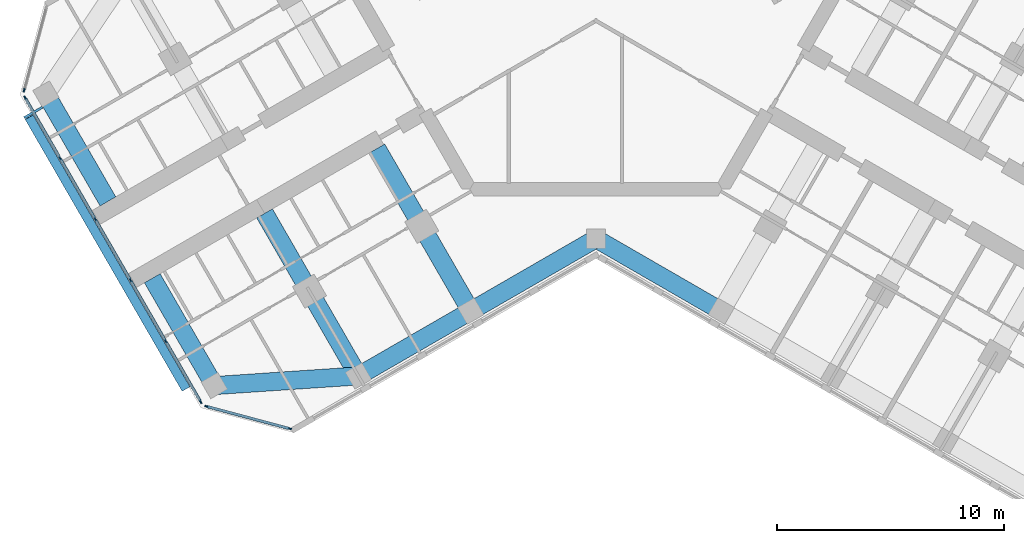
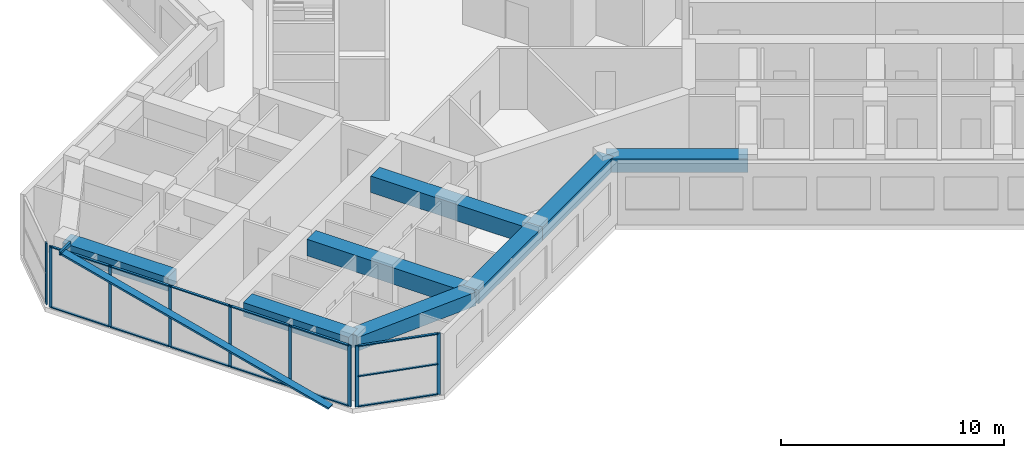
# One storey, part 2 of 16: 24 members, 8 beams, 3 elements without a shape of their own.
"""IFC4 building model written with IfcOpenShell, lengths in metres."""

import ifcopenshell
import ifcopenshell.guid

model = None  # the IFC model being written
_history = None  # IfcOwnerHistory: only IFC2X3 demands one
_inside = {}  # id of a spatial element -> (the spatial element, [elements in it])
_under = {}  # id of a project, library or spatial element -> (it, [spatial elements below it])
_declared = {}  # id of a project -> (the project, [libraries it declares])
_typed = {}  # id of a type object -> (the type object, [elements of that type])
_made_of = {}  # id of a material, layer set ... -> (it, [elements and type objects made of it])


def new_model(schema):
    """Start an empty IFC model of exactly this schema.

    Asked for "IFC4X3", IfcOpenShell would pick the latest addendum, in which some entities
    have other attributes; the version numbers below select the first issue.
    IFC2X3 requires an IfcOwnerHistory on every rooted entity: one is made here for all.
    """
    global model, _history
    if schema == "IFC4X3":
        model = ifcopenshell.file(schema_version=(4, 3, 0, 0))
    else:
        model = ifcopenshell.file(schema=schema)
    _inside.clear()
    _under.clear()
    _declared.clear()
    _typed.clear()
    _made_of.clear()
    _history = None
    if model.schema == "IFC2X3":
        org = make("IfcOrganization", Name="unknown")
        user = make(
            "IfcPersonAndOrganization",
            ThePerson=make("IfcPerson", FamilyName="unknown"),
            TheOrganization=org,
        )
        app = make(
            "IfcApplication",
            ApplicationDeveloper=org,
            Version="unknown",
            ApplicationFullName="unknown",
            ApplicationIdentifier="unknown",
        )
        _history = make(
            "IfcOwnerHistory",
            OwningUser=user,
            OwningApplication=app,
            ChangeAction="ADDED",
            CreationDate=0,
        )
    return model


def make(cls, **values):
    """One entity of the class cls with the attributes given. An attribute that is None is left unset."""
    return model.create_entity(
        cls, **{name: value for name, value in values.items() if value is not None}
    )


def rooted(cls, **values):
    """An entity with a GlobalId (a new one), such as an element, a storey or a relation."""
    return make(cls, GlobalId=ifcopenshell.guid.new(), OwnerHistory=_history, **values)


def si_unit(unit_type, name, prefix=None):
    """IfcSIUnit, for example si_unit("LENGTHUNIT", "METRE", prefix="MILLI")."""
    return make("IfcSIUnit", UnitType=unit_type, Prefix=prefix, Name=name)


def assignment(units):
    """IfcUnitAssignment: the units of a project."""
    return None if units is None else make("IfcUnitAssignment", Units=units)


def point(xyz):
    """IfcCartesianPoint."""
    return None if xyz is None else make("IfcCartesianPoint", Coordinates=xyz)


def direction(xyz):
    """IfcDirection."""
    return None if xyz is None else make("IfcDirection", DirectionRatios=xyz)


def frame(location, z_axis=None, x_axis=None):
    """IfcAxis2Placement3D, a coordinate frame: its origin and axes. An axis left out is left unset."""
    return make(
        "IfcAxis2Placement3D",
        Location=point(location),
        Axis=direction(z_axis),
        RefDirection=direction(x_axis),
    )


def frame_2d(location, x_axis=None):
    """IfcAxis2Placement2D, a coordinate frame in the plane: its origin and x axis."""
    return make(
        "IfcAxis2Placement2D", Location=point(location), RefDirection=direction(x_axis)
    )


def origin():
    """The frame at (0, 0, 0) with its axes left unset."""
    return frame((0.0, 0.0, 0.0))


def origin_2d():
    """The frame at (0, 0) in the plane with its x axis left unset."""
    return frame_2d((0.0, 0.0))


def place(relative_to, where):
    """IfcLocalPlacement: puts the frame where relative to a parent placement (None: the world)."""
    return make(
        "IfcLocalPlacement", PlacementRelTo=relative_to, RelativePlacement=where
    )


def context(
    kind, dimensions, precision=None, world=None, true_north=None, identifier=None
):
    """IfcGeometricRepresentationContext, for example the 3D "Model" context."""
    return make(
        "IfcGeometricRepresentationContext",
        ContextIdentifier=identifier,
        ContextType=kind,
        CoordinateSpaceDimension=dimensions,
        Precision=precision,
        WorldCoordinateSystem=world,
        TrueNorth=true_north,
    )


def subcontext(parent, identifier, kind, view, scale=None):
    """IfcGeometricRepresentationSubContext, for example "Body" below "Model"."""
    return make(
        "IfcGeometricRepresentationSubContext",
        ContextIdentifier=identifier,
        ContextType=kind,
        ParentContext=parent,
        TargetScale=scale,
        TargetView=view,
    )


def project(units=None, contexts=None):
    """IfcProject with its units and contexts."""
    return rooted(
        "IfcProject",
        Name="project",
        RepresentationContexts=contexts,
        UnitsInContext=assignment(units),
    )


def spatial(cls, under=None, at=None, **own):
    """A site, building, storey or space (cls), placed at a placement, below another one or the project."""
    s = rooted(cls, ObjectPlacement=at, **own)
    if under is not None:
        _under.setdefault(under.id(), (under, []))[1].append(s)
    return s


def profile(cls, at=None, kind="AREA", **sizes):
    """A parametric profile (cls). Its sizes go by their IFC names, for example OverallWidth=200.0."""
    return make(cls, ProfileType=kind, Position=at, **sizes)


def rectangle(**sizes):
    """IfcRectangleProfileDef."""
    return profile("IfcRectangleProfileDef", **sizes)


def hollow_rectangle(**sizes):
    """IfcRectangleHollowProfileDef."""
    return profile("IfcRectangleHollowProfileDef", **sizes)


def extrude(swept, where, along, depth):
    """IfcExtrudedAreaSolid: the profile swept, set in the frame where, extruded along a direction by depth."""
    return make(
        "IfcExtrudedAreaSolid",
        SweptArea=swept,
        Position=where,
        ExtrudedDirection=direction(along),
        Depth=depth,
    )


def shape(context_of_items, identifier, shape_type, items):
    """IfcShapeRepresentation: the items that make up one representation, for example the "Body"."""
    return make(
        "IfcShapeRepresentation",
        ContextOfItems=context_of_items,
        RepresentationIdentifier=identifier,
        RepresentationType=shape_type,
        Items=items,
    )


def material(Name=None, Category=None):
    """IfcMaterial."""
    return make("IfcMaterial", Name=Name, Category=Category)


def material_profile(
    of_material, cross_section, Name=None, Category=None, Priority=None
):
    """IfcMaterialProfile: a cross section and its material."""
    return make(
        "IfcMaterialProfile",
        Name=Name,
        Material=of_material,
        Profile=cross_section,
        Priority=Priority,
        Category=Category,
    )


def profile_set(profiles, Name=None, composite=None):
    """IfcMaterialProfileSet."""
    return make(
        "IfcMaterialProfileSet",
        Name=Name,
        MaterialProfiles=profiles,
        CompositeProfile=composite,
    )


def made_of(thing, what):
    """Note that an element or type object is made of a material, layer set ...; save() writes the relation."""
    if what is not None:
        _made_of.setdefault(what.id(), (what, []))[1].append(thing)
    return thing


def type_object(cls, material=None, **own):
    """A type object (cls), such as IfcWallType, which elements share."""
    return made_of(rooted(cls, **own), material)


def element(
    cls,
    number,
    at=None,
    inside=None,
    cuts=None,
    type_object=None,
    material=None,
    context=None,
    identifier="Body",
    shape_type=None,
    held_by="IfcProductDefinitionShape",
    body=None,
    shapes=None,
    **own,
):
    """One element of the class cls, such as IfcWall. Its Tag is "e" and its number.

    at: its placement. inside: the storey or other place that contains it. cuts: it is an
    opening in that element (IfcRelVoidsElement). A single representation is given by context,
    identifier, shape_type and body (its items); several are given by shapes. held_by: the class
    of the entity that holds the representations. save() writes the other relations.
    """
    e = rooted(cls, Tag="e%d" % number, ObjectPlacement=at, **own)
    if body is not None:
        shapes = [shape(context, identifier, shape_type, body)]
    if shapes is not None:
        e.Representation = make(held_by, Representations=shapes)
    if inside is not None:
        _inside.setdefault(inside.id(), (inside, []))[1].append(e)
    if cuts is not None:
        rooted(
            "IfcRelVoidsElement", RelatingBuildingElement=cuts, RelatedOpeningElement=e
        )
    if type_object is not None:
        _typed.setdefault(type_object.id(), (type_object, []))[1].append(e)
    return made_of(e, material)


def aggregate(whole, parts):
    """IfcRelAggregates: a whole, such as a stair, and the parts it consists of."""
    return rooted("IfcRelAggregates", RelatingObject=whole, RelatedObjects=parts)


def save(model, path):
    """Write the relations noted so far, then the file.

    IfcRelAggregates (storeys below a building ...), IfcRelContainedInSpatialStructure (elements
    in a storey), IfcRelDefinesByType, IfcRelAssociatesMaterial and IfcRelDeclares: one each for
    every whole, place, type object, material and project.
    """
    for whole, parts in _under.values():
        aggregate(whole, parts)
    for where, things in _inside.values():
        rooted(
            "IfcRelContainedInSpatialStructure",
            RelatedElements=things,
            RelatingStructure=where,
        )
    for kind, things in _typed.values():
        rooted("IfcRelDefinesByType", RelatedObjects=things, RelatingType=kind)
    for what, things in _made_of.values():
        rooted("IfcRelAssociatesMaterial", RelatedObjects=things, RelatingMaterial=what)
    for by, libraries in _declared.values():
        rooted("IfcRelDeclares", RelatingContext=by, RelatedDefinitions=libraries)
    model.write(path)


model = new_model("IFC4")

# Units and contexts
model_context = context("Model", 3, precision=1e-05, world=origin(), true_north=direction((0.0, 1.0)))
body_context = subcontext(model_context, "Body", "Model", "MODEL_VIEW")
ifc_project = project(units=[si_unit("LENGTHUNIT", "METRE"), si_unit("AREAUNIT", "SQUARE_METRE"), si_unit("VOLUMEUNIT", "CUBIC_METRE"), si_unit("PLANEANGLEUNIT", "RADIAN"), si_unit("MASSUNIT", "GRAM", prefix="KILO")], contexts=[model_context])

# Site, building, storey
site_placement = place(None, origin())
site = spatial("IfcSite", under=ifc_project, at=site_placement, CompositionType="ELEMENT")
building_placement = place(site_placement, origin())
building = spatial("IfcBuilding", under=site, at=building_placement, Name="Kosmar Iwan School Tower", CompositionType="ELEMENT")
storey_placement = place(building_placement, frame((0.0, 0.0, 249.60009765625)))
storey = spatial("IfcBuildingStorey", under=building, at=storey_placement, Name="L63", CompositionType="ELEMENT", Elevation=249.60009765625)

# Members
ifc_material_1 = material(Name="Black anodised aluminium", Category="aluminium")
ifc_material_profile_1 = material_profile(ifc_material_1, rectangle(XDim=0.10009765625, YDim=0.39990234375, at=origin_2d()), Name="FIN 100x400")
ifc_profile_set_1 = profile_set([ifc_material_profile_1], Name="Black anodised aluminium")
member_type_1 = type_object("IfcMemberType", Name="Diagonal fin 100x400", PredefinedType="USERDEFINED", material=ifc_profile_set_1)
member_1_placement = place(storey_placement, frame((-18.0283203125, -18.3740234375, -0.150146484375), z_axis=(-0.483800388566, 0.837965217343, 0.2524905514), x_axis=(0.126245460598, -0.218663124976, 0.96759935999)))
element("IfcMember", 1, at=member_1_placement, inside=storey, type_object=member_type_1, Name="Diagonal fin L63-F11", ObjectType="FIN", PredefinedType="USERDEFINED", context=body_context, shape_type="SweptSolid", body=[
    extrude(rectangle(XDim=0.10009765625, YDim=0.39990234375, at=origin_2d()), origin(), (0.0, 0.0, 1.0), 14.25830078125),
])
ifc_material_2 = material(Name="Steel S355", Category="steel")
ifc_material_profile_2 = material_profile(ifc_material_2, hollow_rectangle(XDim=0.10009765625, YDim=0.199951171875, WallThickness=0.008056640625, at=origin_2d()), Name="RHS 200x100x8")
ifc_profile_set_2 = profile_set([ifc_material_profile_2], Name="Steel S355")
member_type_2 = type_object("IfcMemberType", Name="Fin bracket RHS 200x100", PredefinedType="USERDEFINED", material=ifc_profile_set_2)
member_2_placement = place(storey_placement, frame((-24.337158203125, -5.9970703125, 3.474853515625), z_axis=(-0.866058118026, -0.49994333299, 0.0), x_axis=(0.49994333299, -0.866058118026, 0.0)))
element("IfcMember", 2, at=member_2_placement, inside=storey, type_object=member_type_2, Name="Fin bracket L64", ObjectType="FIN BRACKET", PredefinedType="USERDEFINED", context=body_context, shape_type="SweptSolid", body=[
    extrude(hollow_rectangle(XDim=0.10009765625, YDim=0.199951171875, WallThickness=0.008056640625, at=origin_2d()), origin(), (0.0, 0.0, 1.0), 0.9248046875),
])

# Curtain wall, member
ifc_material_3 = material(Name="Dark glass in black aluminium frame", Category="aluminium")
curtain_wall_type_1 = type_object("IfcCurtainWallType", Name="Chamfer curtain wall dark glass", PredefinedType="USERDEFINED", material=ifc_material_3)
curtain_wall_1_placement = place(storey_placement, origin())
curtain_wall_1 = element("IfcCurtainWall", 3, at=curtain_wall_1_placement, inside=storey, type_object=curtain_wall_type_1, Name="Curtain wall L63-F10", ObjectType="FACETED CURTAIN WALL", PredefinedType="USERDEFINED")
ifc_material_4 = material(Name="Black anodised aluminium", Category="aluminium")
ifc_material_profile_3 = material_profile(ifc_material_4, rectangle(XDim=0.06005859375, YDim=0.159912109375, at=origin_2d()), Name="MULLION 60x160")
ifc_profile_set_3 = profile_set([ifc_material_profile_3], Name="Black anodised aluminium")
member_type_3 = type_object("IfcMemberType", Name="Mullion 60x160", PredefinedType="MULLION", material=ifc_profile_set_3)
member_3_placement = place(storey_placement, frame((-25.141845703125, -5.24853515625, 0.0), z_axis=(0.0, 0.0, 1.0), x_axis=(0.965925875495, -0.258818861462, 0.0)))
member_3 = element("IfcMember", 4, at=member_3_placement, type_object=member_type_3, Name="CW2 mullion 2", PredefinedType="MULLION", context=body_context, shape_type="SweptSolid", body=[
    extrude(rectangle(XDim=0.06005859375, YDim=0.159912109375, at=origin_2d()), origin(), (0.0, 0.0, 1.0), 3.349853515625),
])
aggregate(curtain_wall_1, [member_3])

# Curtain wall, members
ifc_material_5 = material(Name="Dark glass in black aluminium frame", Category="aluminium")
curtain_wall_type_2 = type_object("IfcCurtainWallType", Name="Tower curtain wall dark glass", PredefinedType="USERDEFINED", material=ifc_material_5)
curtain_wall_2_placement = place(storey_placement, origin())
curtain_wall_2 = element("IfcCurtainWall", 5, at=curtain_wall_2_placement, inside=storey, type_object=curtain_wall_type_2, Name="Curtain wall L63-F11", ObjectType="UNITISED CURTAIN WALL", PredefinedType="USERDEFINED")
member_4_placement = place(storey_placement, frame((-25.098388671875, -5.578369140625, 0.0), z_axis=(0.0, 0.0, 1.0), x_axis=(0.866025405329, 0.499999997325, 0.0)))
member_4 = element("IfcMember", 6, at=member_4_placement, type_object=member_type_3, Name="CW1 mullion 1", PredefinedType="MULLION", context=body_context, shape_type="SweptSolid", body=[
    extrude(rectangle(XDim=0.06005859375, YDim=0.159912109375, at=origin_2d()), origin(), (0.0, 0.0, 1.0), 3.349853515625),
])
member_5_placement = place(storey_placement, frame((-23.563720703125, -8.236328125, 0.0), z_axis=(0.0, 0.0, 1.0), x_axis=(0.866025405329, 0.499999997325, 0.0)))
member_5 = element("IfcMember", 7, at=member_5_placement, type_object=member_type_3, Name="CW1 mullion 2", PredefinedType="MULLION", context=body_context, shape_type="SweptSolid", body=[
    extrude(rectangle(XDim=0.06005859375, YDim=0.159912109375, at=origin_2d()), origin(), (0.0, 0.0, 1.0), 3.349853515625),
])
member_6_placement = place(storey_placement, frame((-22.01416015625, -10.92041015625, 0.0), z_axis=(0.0, 0.0, 1.0), x_axis=(0.866025405329, 0.499999997325, 0.0)))
member_6 = element("IfcMember", 8, at=member_6_placement, type_object=member_type_3, Name="CW1 mullion 3", PredefinedType="MULLION", context=body_context, shape_type="SweptSolid", body=[
    extrude(rectangle(XDim=0.06005859375, YDim=0.159912109375, at=origin_2d()), origin(), (0.0, 0.0, 1.0), 3.349853515625),
])
member_7_placement = place(storey_placement, frame((-20.46435546875, -13.6044921875, 0.0), z_axis=(0.0, 0.0, 1.0), x_axis=(0.866025405329, 0.499999997325, 0.0)))
member_7 = element("IfcMember", 9, at=member_7_placement, type_object=member_type_3, Name="CW1 mullion 4", PredefinedType="MULLION", context=body_context, shape_type="SweptSolid", body=[
    extrude(rectangle(XDim=0.06005859375, YDim=0.159912109375, at=origin_2d()), origin(), (0.0, 0.0, 1.0), 3.349853515625),
])
member_8_placement = place(storey_placement, frame((-18.914794921875, -16.28857421875, 0.0), z_axis=(0.0, 0.0, 1.0), x_axis=(0.866025405329, 0.499999997325, 0.0)))
member_8 = element("IfcMember", 10, at=member_8_placement, type_object=member_type_3, Name="CW1 mullion 5", PredefinedType="MULLION", context=body_context, shape_type="SweptSolid", body=[
    extrude(rectangle(XDim=0.06005859375, YDim=0.159912109375, at=origin_2d()), origin(), (0.0, 0.0, 1.0), 3.349853515625),
])
member_9_placement = place(storey_placement, frame((-17.380126953125, -18.94677734375, 0.0), z_axis=(0.0, 0.0, 1.0), x_axis=(0.866025405329, 0.499999997325, 0.0)))
member_9 = element("IfcMember", 11, at=member_9_placement, type_object=member_type_3, Name="CW1 mullion 6", PredefinedType="MULLION", context=body_context, shape_type="SweptSolid", body=[
    extrude(rectangle(XDim=0.06005859375, YDim=0.159912109375, at=origin_2d()), origin(), (0.0, 0.0, 1.0), 3.349853515625),
])

curtain_wall_3_placement = place(storey_placement, origin())
curtain_wall_3 = element("IfcCurtainWall", 12, at=curtain_wall_3_placement, inside=storey, type_object=curtain_wall_type_1, Name="Curtain wall L63-F12", ObjectType="FACETED CURTAIN WALL", PredefinedType="USERDEFINED")
member_10_placement = place(storey_placement, frame((-17.1162109375, -19.149169921875, 0.0), z_axis=(0.0, 0.0, 1.0), x_axis=(0.258818861462, 0.965925875495, 0.0)))
member_10 = element("IfcMember", 13, at=member_10_placement, type_object=member_type_3, Name="CW2 mullion 1", PredefinedType="MULLION", context=body_context, shape_type="SweptSolid", body=[
    extrude(rectangle(XDim=0.06005859375, YDim=0.159912109375, at=origin_2d()), origin(), (0.0, 0.0, 1.0), 3.349853515625),
])
member_11_placement = place(storey_placement, frame((-13.466064453125, -20.127197265625, 0.0), z_axis=(0.0, 0.0, 1.0), x_axis=(0.258818861462, 0.965925875495, 0.0)))
member_11 = element("IfcMember", 14, at=member_11_placement, type_object=member_type_3, Name="CW2 mullion 2", PredefinedType="MULLION", context=body_context, shape_type="SweptSolid", body=[
    extrude(rectangle(XDim=0.06005859375, YDim=0.159912109375, at=origin_2d()), origin(), (0.0, 0.0, 1.0), 3.349853515625),
])

# Beams
ifc_material_6 = material(Name="Concrete C50/60", Category="concrete")
ifc_material_profile_4 = material_profile(ifc_material_6, rectangle(XDim=0.800048828125, YDim=0.75, at=origin_2d()), Name="RC 800x750")
ifc_profile_set_4 = profile_set([ifc_material_profile_4], Name="Concrete C50/60")
beam_type_1 = type_object("IfcBeamType", Name="RC edge beam 800x750", PredefinedType="BEAM", material=ifc_profile_set_4)
beam_1_placement = place(storey_placement, frame((0.0, -11.77783203125, 2.974853515625), z_axis=(-0.866014293216, -0.500019243575, 0.0), x_axis=(0.500019243575, -0.866014293216, 0.0)))
element("IfcBeam", 15, at=beam_1_placement, inside=storey, type_object=beam_type_1, Name="Edge beam BL1", PredefinedType="BEAM", context=body_context, shape_type="SweptSolid", body=[
    extrude(rectangle(XDim=0.800048828125, YDim=0.75, at=origin_2d()), origin(), (0.0, 0.0, 1.0), 6.361083984375),
])
beam_2_placement = place(storey_placement, frame((-5.5087890625, -14.95849609375, 2.974853515625), z_axis=(-0.866033658841, -0.49998570155, 0.0), x_axis=(0.49998570155, -0.866033658841, 0.0)))
element("IfcBeam", 16, at=beam_2_placement, inside=storey, type_object=beam_type_1, Name="Edge beam BL2", PredefinedType="BEAM", context=body_context, shape_type="SweptSolid", body=[
    extrude(rectangle(XDim=0.800048828125, YDim=0.75, at=origin_2d()), origin(), (0.0, 0.0, 1.0), 5.699951171875),
])
beam_3_placement = place(storey_placement, frame((0.0, -11.77783203125, 2.974853515625), z_axis=(0.866014293216, -0.500019243575, 0.0), x_axis=(0.500019243575, 0.866014293216, 0.0)))
element("IfcBeam", 17, at=beam_3_placement, inside=storey, type_object=beam_type_1, Name="Edge beam CR1", PredefinedType="BEAM", context=body_context, shape_type="SweptSolid", body=[
    extrude(rectangle(XDim=0.800048828125, YDim=0.75, at=origin_2d()), origin(), (0.0, 0.0, 1.0), 6.361083984375),
])
ifc_material_7 = material(Name="Concrete C50/60", Category="concrete")
ifc_material_profile_5 = material_profile(ifc_material_7, rectangle(XDim=0.800048828125, YDim=0.75, at=origin_2d()), Name="RC 800x750")
ifc_profile_set_5 = profile_set([ifc_material_profile_5], Name="Concrete C50/60")
beam_type_2 = type_object("IfcBeamType", Name="RC tip beam 800x750", PredefinedType="BEAM", material=ifc_profile_set_5)
beam_4_placement = place(storey_placement, frame((-10.445068359375, -17.808349609375, 2.974853515625), z_axis=(-0.997755118724, -0.066968074933, 0.0), x_axis=(0.066968074933, -0.997755118724, 0.0)))
element("IfcBeam", 18, at=beam_4_placement, inside=storey, type_object=beam_type_2, Name="Tip beam BL", PredefinedType="BEAM", context=body_context, shape_type="SweptSolid", body=[
    extrude(rectangle(XDim=0.800048828125, YDim=0.75, at=origin_2d()), origin(), (0.0, 0.0, 1.0), 6.3505859375),
])
beam_5_placement = place(storey_placement, frame((-16.781494140625, -18.233642578125, 2.974853515625), z_axis=(-0.500002931134, 0.866023711487, 0.0), x_axis=(-0.866023711487, -0.500002931134, 0.0)))
element("IfcBeam", 19, at=beam_5_placement, inside=storey, type_object=beam_type_2, Name="Tip beam BL to corridor wall", PredefinedType="BEAM", context=body_context, shape_type="SweptSolid", body=[
    extrude(rectangle(XDim=0.800048828125, YDim=0.75, at=origin_2d()), origin(), (0.0, 0.0, 1.0), 5.4501953125),
])
beam_6_placement = place(storey_placement, frame((-24.181396484375, -5.41650390625, 2.974853515625), z_axis=(0.499988730927, -0.866031909889, 0.0), x_axis=(0.866031909889, 0.499988730927, 0.0)))
element("IfcBeam", 20, at=beam_6_placement, inside=storey, type_object=beam_type_2, Name="Tip beam BR to corridor wall", PredefinedType="BEAM", context=body_context, shape_type="SweptSolid", body=[
    extrude(rectangle(XDim=0.800048828125, YDim=0.75, at=origin_2d()), origin(), (0.0, 0.0, 1.0), 5.449951171875),
])
ifc_material_8 = material(Name="Concrete C50/60", Category="concrete")
ifc_material_profile_6 = material_profile(ifc_material_8, rectangle(XDim=0.800048828125, YDim=0.89990234375, at=origin_2d()), Name="RC 800x900")
ifc_profile_set_6 = profile_set([ifc_material_profile_6], Name="Concrete C50/60")
beam_type_3 = type_object("IfcBeamType", Name="RC transverse beam 800x900", PredefinedType="BEAM", material=ifc_profile_set_6)
beam_7_placement = place(storey_placement, frame((-5.5087890625, -14.95849609375, 2.89990234375), z_axis=(-0.499996545922, 0.866027397988, 0.0), x_axis=(-0.866027397988, -0.499996545922, 0.0)))
element("IfcBeam", 21, at=beam_7_placement, inside=storey, type_object=beam_type_3, Name="Transverse beam BL1", PredefinedType="BEAM", context=body_context, shape_type="SweptSolid", body=[
    extrude(rectangle(XDim=0.800048828125, YDim=0.89990234375, at=origin_2d()), origin(), (0.0, 0.0, 1.0), 8.25),
])
beam_8_placement = place(storey_placement, frame((-10.445068359375, -17.808349609375, 2.89990234375), z_axis=(-0.500009360108, 0.866019999656, 0.0), x_axis=(-0.866019999656, -0.500009360108, 0.0)))
element("IfcBeam", 22, at=beam_8_placement, inside=storey, type_object=beam_type_3, Name="Transverse beam BL2", PredefinedType="BEAM", context=body_context, shape_type="SweptSolid", body=[
    extrude(rectangle(XDim=0.800048828125, YDim=0.89990234375, at=origin_2d()), origin(), (0.0, 0.0, 1.0), 8.249755859375),
])

# Member
ifc_material_9 = material(Name="Black anodised aluminium", Category="aluminium")
ifc_material_profile_7 = material_profile(ifc_material_9, rectangle(XDim=0.1201171875, YDim=0.06005859375, at=origin_2d()), Name="TRANSOM 60x120")
ifc_profile_set_7 = profile_set([ifc_material_profile_7], Name="Black anodised aluminium")
member_type_4 = type_object("IfcMemberType", Name="Transom 60x120", PredefinedType="USERDEFINED", material=ifc_profile_set_7)
member_12_placement = place(storey_placement, frame((-25.08349609375, -5.604248046875, 0.02978515625), z_axis=(0.499986971506, -0.866032925658, 0.0), x_axis=(0.866032925658, 0.499986971506, 0.0)))
member_12 = element("IfcMember", 23, at=member_12_placement, type_object=member_type_4, Name="CW1 transom 1.1", ObjectType="TRANSOM", PredefinedType="USERDEFINED", context=body_context, shape_type="SweptSolid", body=[
    extrude(rectangle(XDim=0.1201171875, YDim=0.06005859375, at=origin_2d()), origin(), (0.0, 0.0, 1.0), 3.00927734375),
])

member_13_placement = place(storey_placement, frame((-25.08349609375, -5.604248046875, 3.31982421875), z_axis=(0.499986971506, -0.866032925658, 0.0), x_axis=(0.866032925658, 0.499986971506, 0.0)))
member_13 = element("IfcMember", 24, at=member_13_placement, type_object=member_type_4, Name="CW1 transom 1.2", ObjectType="TRANSOM", PredefinedType="USERDEFINED", context=body_context, shape_type="SweptSolid", body=[
    extrude(rectangle(XDim=0.1201171875, YDim=0.06005859375, at=origin_2d()), origin(), (0.0, 0.0, 1.0), 3.00927734375),
])

member_14_placement = place(storey_placement, frame((-23.548828125, -8.262451171875, 0.02978515625), z_axis=(0.500035348339, -0.866004994449, 0.0), x_axis=(0.866004994449, 0.500035348339, 0.0)))
member_14 = element("IfcMember", 25, at=member_14_placement, type_object=member_type_4, Name="CW1 transom 2.1", ObjectType="TRANSOM", PredefinedType="USERDEFINED", context=body_context, shape_type="SweptSolid", body=[
    extrude(rectangle(XDim=0.1201171875, YDim=0.06005859375, at=origin_2d()), origin(), (0.0, 0.0, 1.0), 3.039306640625),
])

member_15_placement = place(storey_placement, frame((-23.548828125, -8.262451171875, 3.31982421875), z_axis=(0.500035348339, -0.866004994449, 0.0), x_axis=(0.866004994449, 0.500035348339, 0.0)))
member_15 = element("IfcMember", 26, at=member_15_placement, type_object=member_type_4, Name="CW1 transom 2.2", ObjectType="TRANSOM", PredefinedType="USERDEFINED", context=body_context, shape_type="SweptSolid", body=[
    extrude(rectangle(XDim=0.1201171875, YDim=0.06005859375, at=origin_2d()), origin(), (0.0, 0.0, 1.0), 3.039306640625),
])

member_16_placement = place(storey_placement, frame((-21.9990234375, -10.946533203125, 0.02978515625), z_axis=(0.499975102327, -0.866039777986, 0.0), x_axis=(0.866039777986, 0.499975102327, 0.0)))
member_16 = element("IfcMember", 27, at=member_16_placement, type_object=member_type_4, Name="CW1 transom 3.1", ObjectType="TRANSOM", PredefinedType="USERDEFINED", context=body_context, shape_type="SweptSolid", body=[
    extrude(rectangle(XDim=0.1201171875, YDim=0.06005859375, at=origin_2d()), origin(), (0.0, 0.0, 1.0), 3.039306640625),
])

member_17_placement = place(storey_placement, frame((-21.9990234375, -10.946533203125, 3.31982421875), z_axis=(0.499975102327, -0.866039777986, 0.0), x_axis=(0.866039777986, 0.499975102327, 0.0)))
member_17 = element("IfcMember", 28, at=member_17_placement, type_object=member_type_4, Name="CW1 transom 3.2", ObjectType="TRANSOM", PredefinedType="USERDEFINED", context=body_context, shape_type="SweptSolid", body=[
    extrude(rectangle(XDim=0.1201171875, YDim=0.06005859375, at=origin_2d()), origin(), (0.0, 0.0, 1.0), 3.039306640625),
])

member_18_placement = place(storey_placement, frame((-20.449462890625, -13.630615234375, 0.02978515625), z_axis=(0.500035348339, -0.866004994449, 0.0), x_axis=(0.866004994449, 0.500035348339, 0.0)))
member_18 = element("IfcMember", 29, at=member_18_placement, type_object=member_type_4, Name="CW1 transom 4.1", ObjectType="TRANSOM", PredefinedType="USERDEFINED", context=body_context, shape_type="SweptSolid", body=[
    extrude(rectangle(XDim=0.1201171875, YDim=0.06005859375, at=origin_2d()), origin(), (0.0, 0.0, 1.0), 3.039306640625),
])

member_19_placement = place(storey_placement, frame((-20.449462890625, -13.630615234375, 3.31982421875), z_axis=(0.500035348339, -0.866004994449, 0.0), x_axis=(0.866004994449, 0.500035348339, 0.0)))
member_19 = element("IfcMember", 30, at=member_19_placement, type_object=member_type_4, Name="CW1 transom 4.2", ObjectType="TRANSOM", PredefinedType="USERDEFINED", context=body_context, shape_type="SweptSolid", body=[
    extrude(rectangle(XDim=0.1201171875, YDim=0.06005859375, at=origin_2d()), origin(), (0.0, 0.0, 1.0), 3.039306640625),
])

member_20_placement = place(storey_placement, frame((-18.89990234375, -16.314697265625, 0.02978515625), z_axis=(0.500022102064, -0.866012642776, 0.0), x_axis=(0.866012642776, 0.500022102064, 0.0)))
member_20 = element("IfcMember", 31, at=member_20_placement, type_object=member_type_4, Name="CW1 transom 5.1", ObjectType="TRANSOM", PredefinedType="USERDEFINED", context=body_context, shape_type="SweptSolid", body=[
    extrude(rectangle(XDim=0.1201171875, YDim=0.06005859375, at=origin_2d()), origin(), (0.0, 0.0, 1.0), 3.009033203125),
])

member_21_placement = place(storey_placement, frame((-18.89990234375, -16.314697265625, 3.31982421875), z_axis=(0.500022102064, -0.866012642776, 0.0), x_axis=(0.866012642776, 0.500022102064, 0.0)))
member_21 = element("IfcMember", 32, at=member_21_placement, type_object=member_type_4, Name="CW1 transom 5.2", ObjectType="TRANSOM", PredefinedType="USERDEFINED", context=body_context, shape_type="SweptSolid", body=[
    extrude(rectangle(XDim=0.1201171875, YDim=0.06005859375, at=origin_2d()), origin(), (0.0, 0.0, 1.0), 3.009033203125),
])

aggregate(curtain_wall_2, [member_4, member_5, member_6, member_7, member_8, member_9, member_12, member_13, member_14, member_15, member_16, member_17, member_18, member_19, member_20, member_21])

member_22_placement = place(storey_placement, frame((-17.08740234375, -19.156982421875, 0.02978515625), z_axis=(0.965940141052, -0.258765615768, 0.0), x_axis=(0.258765615768, 0.965940141052, 0.0)))
member_22 = element("IfcMember", 33, at=member_22_placement, type_object=member_type_4, Name="CW2 transom 1.1", ObjectType="TRANSOM", PredefinedType="USERDEFINED", context=body_context, shape_type="SweptSolid", body=[
    extrude(rectangle(XDim=0.1201171875, YDim=0.06005859375, at=origin_2d()), origin(), (0.0, 0.0, 1.0), 3.71923828125),
])

member_23_placement = place(storey_placement, frame((-17.08740234375, -19.156982421875, 1.6748046875), z_axis=(0.965940141052, -0.258765615768, 0.0), x_axis=(0.258765615768, 0.965940141052, 0.0)))
member_23 = element("IfcMember", 34, at=member_23_placement, type_object=member_type_4, Name="CW2 transom 1.2", ObjectType="TRANSOM", PredefinedType="USERDEFINED", context=body_context, shape_type="SweptSolid", body=[
    extrude(rectangle(XDim=0.1201171875, YDim=0.06005859375, at=origin_2d()), origin(), (0.0, 0.0, 1.0), 3.71923828125),
])

member_24_placement = place(storey_placement, frame((-17.08740234375, -19.156982421875, 3.31982421875), z_axis=(0.965940141052, -0.258765615768, 0.0), x_axis=(0.258765615768, 0.965940141052, 0.0)))
member_24 = element("IfcMember", 35, at=member_24_placement, type_object=member_type_4, Name="CW2 transom 1.3", ObjectType="TRANSOM", PredefinedType="USERDEFINED", context=body_context, shape_type="SweptSolid", body=[
    extrude(rectangle(XDim=0.1201171875, YDim=0.06005859375, at=origin_2d()), origin(), (0.0, 0.0, 1.0), 3.71923828125),
])

aggregate(curtain_wall_3, [member_10, member_11, member_22, member_23, member_24])

save(model, "model.ifc")
